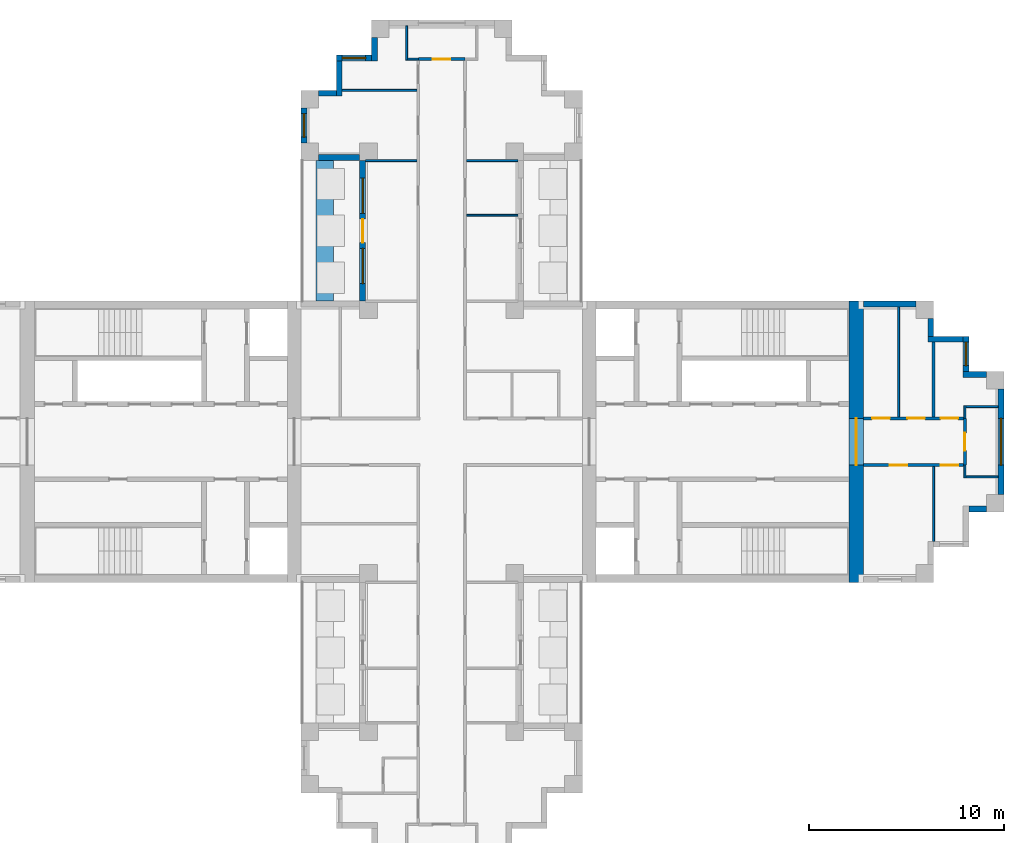
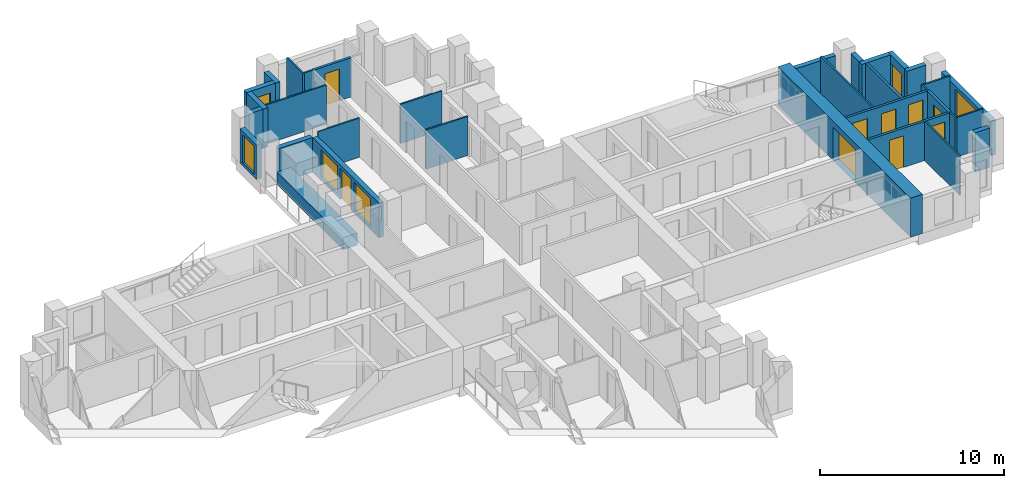
# One storey, part 6 of 9: 33 walls, 9 doors, 6 windows, 15 openings.
"""IFC4 building model written with IfcOpenShell, lengths in metres."""

import ifcopenshell
import ifcopenshell.guid

model = None  # the IFC model being written
_history = None  # IfcOwnerHistory: only IFC2X3 demands one
_inside = {}  # id of a spatial element -> (the spatial element, [elements in it])
_under = {}  # id of a project, library or spatial element -> (it, [spatial elements below it])
_declared = {}  # id of a project -> (the project, [libraries it declares])
_typed = {}  # id of a type object -> (the type object, [elements of that type])
_made_of = {}  # id of a material, layer set ... -> (it, [elements and type objects made of it])


def new_model(schema):
    """Start an empty IFC model of exactly this schema.

    Asked for "IFC4X3", IfcOpenShell would pick the latest addendum, in which some entities
    have other attributes; the version numbers below select the first issue.
    IFC2X3 requires an IfcOwnerHistory on every rooted entity: one is made here for all.
    """
    global model, _history
    if schema == "IFC4X3":
        model = ifcopenshell.file(schema_version=(4, 3, 0, 0))
    else:
        model = ifcopenshell.file(schema=schema)
    _inside.clear()
    _under.clear()
    _declared.clear()
    _typed.clear()
    _made_of.clear()
    _history = None
    if model.schema == "IFC2X3":
        org = make("IfcOrganization", Name="unknown")
        user = make(
            "IfcPersonAndOrganization",
            ThePerson=make("IfcPerson", FamilyName="unknown"),
            TheOrganization=org,
        )
        app = make(
            "IfcApplication",
            ApplicationDeveloper=org,
            Version="unknown",
            ApplicationFullName="unknown",
            ApplicationIdentifier="unknown",
        )
        _history = make(
            "IfcOwnerHistory",
            OwningUser=user,
            OwningApplication=app,
            ChangeAction="ADDED",
            CreationDate=0,
        )
    return model


def make(cls, **values):
    """One entity of the class cls with the attributes given. An attribute that is None is left unset."""
    return model.create_entity(
        cls, **{name: value for name, value in values.items() if value is not None}
    )


def rooted(cls, **values):
    """An entity with a GlobalId (a new one), such as an element, a storey or a relation."""
    return make(cls, GlobalId=ifcopenshell.guid.new(), OwnerHistory=_history, **values)


def si_unit(unit_type, name, prefix=None):
    """IfcSIUnit, for example si_unit("LENGTHUNIT", "METRE", prefix="MILLI")."""
    return make("IfcSIUnit", UnitType=unit_type, Prefix=prefix, Name=name)


def assignment(units):
    """IfcUnitAssignment: the units of a project."""
    return None if units is None else make("IfcUnitAssignment", Units=units)


def point(xyz):
    """IfcCartesianPoint."""
    return None if xyz is None else make("IfcCartesianPoint", Coordinates=xyz)


def direction(xyz):
    """IfcDirection."""
    return None if xyz is None else make("IfcDirection", DirectionRatios=xyz)


def frame(location, z_axis=None, x_axis=None):
    """IfcAxis2Placement3D, a coordinate frame: its origin and axes. An axis left out is left unset."""
    return make(
        "IfcAxis2Placement3D",
        Location=point(location),
        Axis=direction(z_axis),
        RefDirection=direction(x_axis),
    )


def frame_2d(location, x_axis=None):
    """IfcAxis2Placement2D, a coordinate frame in the plane: its origin and x axis."""
    return make(
        "IfcAxis2Placement2D", Location=point(location), RefDirection=direction(x_axis)
    )


def origin():
    """The frame at (0, 0, 0) with its axes left unset."""
    return frame((0.0, 0.0, 0.0))


def place(relative_to, where):
    """IfcLocalPlacement: puts the frame where relative to a parent placement (None: the world)."""
    return make(
        "IfcLocalPlacement", PlacementRelTo=relative_to, RelativePlacement=where
    )


def context(
    kind, dimensions, precision=None, world=None, true_north=None, identifier=None
):
    """IfcGeometricRepresentationContext, for example the 3D "Model" context."""
    return make(
        "IfcGeometricRepresentationContext",
        ContextIdentifier=identifier,
        ContextType=kind,
        CoordinateSpaceDimension=dimensions,
        Precision=precision,
        WorldCoordinateSystem=world,
        TrueNorth=true_north,
    )


def subcontext(parent, identifier, kind, view, scale=None):
    """IfcGeometricRepresentationSubContext, for example "Body" below "Model"."""
    return make(
        "IfcGeometricRepresentationSubContext",
        ContextIdentifier=identifier,
        ContextType=kind,
        ParentContext=parent,
        TargetScale=scale,
        TargetView=view,
    )


def project(units=None, contexts=None):
    """IfcProject with its units and contexts."""
    return rooted(
        "IfcProject",
        Name="project",
        RepresentationContexts=contexts,
        UnitsInContext=assignment(units),
    )


def spatial(cls, under=None, at=None, **own):
    """A site, building, storey or space (cls), placed at a placement, below another one or the project."""
    s = rooted(cls, ObjectPlacement=at, **own)
    if under is not None:
        _under.setdefault(under.id(), (under, []))[1].append(s)
    return s


def profile(cls, at=None, kind="AREA", **sizes):
    """A parametric profile (cls). Its sizes go by their IFC names, for example OverallWidth=200.0."""
    return make(cls, ProfileType=kind, Position=at, **sizes)


def rectangle(**sizes):
    """IfcRectangleProfileDef."""
    return profile("IfcRectangleProfileDef", **sizes)


def extrude(swept, where, along, depth):
    """IfcExtrudedAreaSolid: the profile swept, set in the frame where, extruded along a direction by depth."""
    return make(
        "IfcExtrudedAreaSolid",
        SweptArea=swept,
        Position=where,
        ExtrudedDirection=direction(along),
        Depth=depth,
    )


def shape(context_of_items, identifier, shape_type, items):
    """IfcShapeRepresentation: the items that make up one representation, for example the "Body"."""
    return make(
        "IfcShapeRepresentation",
        ContextOfItems=context_of_items,
        RepresentationIdentifier=identifier,
        RepresentationType=shape_type,
        Items=items,
    )


def material(Name=None, Category=None):
    """IfcMaterial."""
    return make("IfcMaterial", Name=Name, Category=Category)


def layer(
    of_material, thickness, ventilated=None, Name=None, Category=None, Priority=None
):
    """IfcMaterialLayer: one layer of a wall or slab, of a material (None: an air gap)."""
    return make(
        "IfcMaterialLayer",
        Material=of_material,
        LayerThickness=thickness,
        IsVentilated=ventilated,
        Name=Name,
        Category=Category,
        Priority=Priority,
    )


def layer_set(layers, Name=None):
    """IfcMaterialLayerSet."""
    return make("IfcMaterialLayerSet", MaterialLayers=layers, LayerSetName=Name)


def made_of(thing, what):
    """Note that an element or type object is made of a material, layer set ...; save() writes the relation."""
    if what is not None:
        _made_of.setdefault(what.id(), (what, []))[1].append(thing)
    return thing


def type_object(cls, material=None, **own):
    """A type object (cls), such as IfcWallType, which elements share."""
    return made_of(rooted(cls, **own), material)


def element(
    cls,
    number,
    at=None,
    inside=None,
    cuts=None,
    type_object=None,
    material=None,
    context=None,
    identifier="Body",
    shape_type=None,
    held_by="IfcProductDefinitionShape",
    body=None,
    shapes=None,
    **own,
):
    """One element of the class cls, such as IfcWall. Its Tag is "e" and its number.

    at: its placement. inside: the storey or other place that contains it. cuts: it is an
    opening in that element (IfcRelVoidsElement). A single representation is given by context,
    identifier, shape_type and body (its items); several are given by shapes. held_by: the class
    of the entity that holds the representations. save() writes the other relations.
    """
    e = rooted(cls, Tag="e%d" % number, ObjectPlacement=at, **own)
    if body is not None:
        shapes = [shape(context, identifier, shape_type, body)]
    if shapes is not None:
        e.Representation = make(held_by, Representations=shapes)
    if inside is not None:
        _inside.setdefault(inside.id(), (inside, []))[1].append(e)
    if cuts is not None:
        rooted(
            "IfcRelVoidsElement", RelatingBuildingElement=cuts, RelatedOpeningElement=e
        )
    if type_object is not None:
        _typed.setdefault(type_object.id(), (type_object, []))[1].append(e)
    return made_of(e, material)


def fill(opening, filler):
    """IfcRelFillsElement: the door or window that sits in an opening."""
    return rooted(
        "IfcRelFillsElement",
        RelatingOpeningElement=opening,
        RelatedBuildingElement=filler,
    )


def aggregate(whole, parts):
    """IfcRelAggregates: a whole, such as a stair, and the parts it consists of."""
    return rooted("IfcRelAggregates", RelatingObject=whole, RelatedObjects=parts)


def save(model, path):
    """Write the relations noted so far, then the file.

    IfcRelAggregates (storeys below a building ...), IfcRelContainedInSpatialStructure (elements
    in a storey), IfcRelDefinesByType, IfcRelAssociatesMaterial and IfcRelDeclares: one each for
    every whole, place, type object, material and project.
    """
    for whole, parts in _under.values():
        aggregate(whole, parts)
    for where, things in _inside.values():
        rooted(
            "IfcRelContainedInSpatialStructure",
            RelatedElements=things,
            RelatingStructure=where,
        )
    for kind, things in _typed.values():
        rooted("IfcRelDefinesByType", RelatedObjects=things, RelatingType=kind)
    for what, things in _made_of.values():
        rooted("IfcRelAssociatesMaterial", RelatedObjects=things, RelatingMaterial=what)
    for by, libraries in _declared.values():
        rooted("IfcRelDeclares", RelatingContext=by, RelatedDefinitions=libraries)
    model.write(path)


model = new_model("IFC4")

# Units and contexts
model_context = context("Model", 3, precision=1e-05, world=origin(), true_north=direction((0.0, 1.0)))
body_context = subcontext(model_context, "Body", "Model", "MODEL_VIEW")
ifc_project = project(units=[si_unit("LENGTHUNIT", "METRE"), si_unit("AREAUNIT", "SQUARE_METRE"), si_unit("VOLUMEUNIT", "CUBIC_METRE"), si_unit("PLANEANGLEUNIT", "RADIAN"), si_unit("MASSUNIT", "GRAM", prefix="KILO")], contexts=[model_context])

# Site, building, storey
site_placement = place(None, origin())
site = spatial("IfcSite", under=ifc_project, at=site_placement, CompositionType="ELEMENT")
building_placement = place(site_placement, origin())
building = spatial("IfcBuilding", under=site, at=building_placement, Name="Fustian Cross Tower", CompositionType="ELEMENT")
storey_placement = place(building_placement, frame((0.0, 0.0, 219.89990234375)))
storey = spatial("IfcBuildingStorey", under=building, at=storey_placement, Name="L69", CompositionType="ELEMENT", Elevation=219.89990234375)

# Wall, opening, door
ifc_material_1 = material(Name="Plasterboard on steel stud", Category="steel")
ifc_layer_1 = layer(ifc_material_1, 0.14990234375)
ifc_layer_set_1 = layer_set([ifc_layer_1], Name="Plasterboard on steel stud")
wall_type_1 = type_object("IfcWallType", Name="COMPARTMENT WALL 150 EI 60", PredefinedType="PARTITIONING", material=ifc_layer_set_1)
wall_1_placement = place(storey_placement, frame((-1.199951171875, 19.60009765625, 0.0), z_axis=(0.0, 0.0, 1.0), x_axis=(1.0, 0.0, 0.0)))
wall_1 = element("IfcWall", 1, at=wall_1_placement, inside=storey, type_object=wall_type_1, Name="Partition 32", PredefinedType="PARTITIONING", context=body_context, shape_type="SweptSolid", body=[
    extrude(rectangle(XDim=2.39990234375, YDim=0.14990234375, at=frame_2d((1.199951171875, 0.0))), origin(), (0.0, 0.0, 1.0), 2.60009765625),
])
opening_1_placement = place(wall_1_placement, frame((0.75, 0.0, 0.0)))
opening_1 = element("IfcOpeningElement", 2, at=opening_1_placement, cuts=wall_1, Name="Opening D31015", PredefinedType="OPENING", context=body_context, shape_type="SweptSolid", body=[
    extrude(rectangle(XDim=0.89990234375, YDim=2.10009765625, at=frame_2d((0.449951171875, 1.050048828125))), frame((0.0, 0.0849609375, 0.0), z_axis=(0.0, -1.0, 0.0), x_axis=(1.0, 0.0, 0.0)), (0.0, 0.0, 1.0), 0.169921875),
])
ifc_material_2 = material(Name="Timber fire door set", Category="wood")
door_type_1 = type_object("IfcDoorType", Name="FIRE SWING DOOR 900 FD30S", OperationType="SINGLE_SWING_LEFT", PredefinedType="DOOR", material=ifc_material_2)
door_1_placement = place(opening_1_placement, origin())
door_1 = element("IfcDoor", 3, at=door_1_placement, inside=storey, type_object=door_type_1, Name="Door D31015", OperationType="SINGLE_SWING_LEFT", OverallHeight=2.10009765625, OverallWidth=0.89990234375, PredefinedType="DOOR", context=body_context, shape_type="SweptSolid", body=[
    extrude(rectangle(XDim=0.89990234375, YDim=2.10009765625, at=frame_2d((0.449951171875, 1.050048828125))), frame((0.0, 0.02490234375, 0.0), z_axis=(0.0, -1.0, 0.0), x_axis=(1.0, 0.0, 0.0)), (0.0, 0.0, 1.0), 0.050048828125),
])
fill(opening_1, door_1)

# Wall, openings, doors
wall_2_placement = place(storey_placement, frame((21.60009765625, -1.199951171875, 0.0), z_axis=(0.0, 0.0, 1.0), x_axis=(1.0, 0.0, 0.0)))
wall_2 = element("IfcWall", 4, at=wall_2_placement, inside=storey, type_object=wall_type_1, Name="Partition 50", PredefinedType="PARTITIONING", context=body_context, shape_type="SweptSolid", body=[
    extrude(rectangle(XDim=5.125, YDim=0.14990234375, at=frame_2d((2.5625, 0.0))), origin(), (0.0, 0.0, 1.0), 2.60009765625),
])
opening_2_placement = place(wall_2_placement, frame((1.35009765625, 0.0, 0.0)))
opening_2 = element("IfcOpeningElement", 5, at=opening_2_placement, cuts=wall_2, Name="Opening D31013", PredefinedType="OPENING", context=body_context, shape_type="SweptSolid", body=[
    extrude(rectangle(XDim=0.89990234375, YDim=2.10009765625, at=frame_2d((0.449951171875, 1.050048828125))), frame((0.0, 0.0849609375, 0.0), z_axis=(0.0, -1.0, 0.0), x_axis=(1.0, 0.0, 0.0)), (0.0, 0.0, 1.0), 0.169921875),
])
opening_3_placement = place(wall_2_placement, frame((3.949951171875, 0.0, 0.0)))
opening_3 = element("IfcOpeningElement", 6, at=opening_3_placement, cuts=wall_2, Name="Opening D31014", PredefinedType="OPENING", context=body_context, shape_type="SweptSolid", body=[
    extrude(rectangle(XDim=0.89990234375, YDim=2.10009765625, at=frame_2d((0.449951171875, 1.050048828125))), frame((0.0, 0.0849609375, 0.0), z_axis=(0.0, -1.0, 0.0), x_axis=(1.0, 0.0, 0.0)), (0.0, 0.0, 1.0), 0.169921875),
])
door_2_placement = place(opening_2_placement, frame((0.89990234375, 0.0, 0.0), z_axis=(0.0, 0.0, 1.0), x_axis=(-1.0, 0.0, 0.0)))
door_2 = element("IfcDoor", 7, at=door_2_placement, inside=storey, type_object=door_type_1, Name="Door D31013", OperationType="SINGLE_SWING_RIGHT", OverallHeight=2.10009765625, OverallWidth=0.89990234375, PredefinedType="DOOR", context=body_context, shape_type="SweptSolid", body=[
    extrude(rectangle(XDim=0.89990234375, YDim=2.10009765625, at=frame_2d((0.449951171875, 1.050048828125))), frame((0.0, 0.02490234375, 0.0), z_axis=(0.0, -1.0, 0.0), x_axis=(1.0, 0.0, 0.0)), (0.0, 0.0, 1.0), 0.050048828125),
])
fill(opening_2, door_2)
door_3_placement = place(opening_3_placement, frame((0.89990234375, 0.0, 0.0), z_axis=(0.0, 0.0, 1.0), x_axis=(-1.0, 0.0, 0.0)))
door_3 = element("IfcDoor", 8, at=door_3_placement, inside=storey, type_object=door_type_1, Name="Door D31014", OperationType="SINGLE_SWING_RIGHT", OverallHeight=2.10009765625, OverallWidth=0.89990234375, PredefinedType="DOOR", context=body_context, shape_type="SweptSolid", body=[
    extrude(rectangle(XDim=0.89990234375, YDim=2.10009765625, at=frame_2d((0.449951171875, 1.050048828125))), frame((0.0, 0.02490234375, 0.0), z_axis=(0.0, -1.0, 0.0), x_axis=(1.0, 0.0, 0.0)), (0.0, 0.0, 1.0), 0.050048828125),
])
fill(opening_3, door_3)

wall_3_placement = place(storey_placement, frame((21.60009765625, 1.199951171875, 0.0), z_axis=(0.0, 0.0, 1.0), x_axis=(1.0, 0.0, 0.0)))
wall_3 = element("IfcWall", 9, at=wall_3_placement, inside=storey, type_object=wall_type_1, Name="Partition 51", PredefinedType="PARTITIONING", context=body_context, shape_type="SweptSolid", body=[
    extrude(rectangle(XDim=5.125, YDim=0.14990234375, at=frame_2d((2.5625, 0.0))), origin(), (0.0, 0.0, 1.0), 2.60009765625),
])
opening_4_placement = place(wall_3_placement, frame((0.449951171875, 0.0, 0.0)))
opening_4 = element("IfcOpeningElement", 10, at=opening_4_placement, cuts=wall_3, Name="Opening D31010", PredefinedType="OPENING", context=body_context, shape_type="SweptSolid", body=[
    extrude(rectangle(XDim=0.89990234375, YDim=2.10009765625, at=frame_2d((0.449951171875, 1.050048828125))), frame((0.0, 0.0849609375, 0.0), z_axis=(0.0, -1.0, 0.0), x_axis=(1.0, 0.0, 0.0)), (0.0, 0.0, 1.0), 0.169921875),
])
opening_5_placement = place(wall_3_placement, frame((2.25, 0.0, 0.0)))
opening_5 = element("IfcOpeningElement", 11, at=opening_5_placement, cuts=wall_3, Name="Opening D31011", PredefinedType="OPENING", context=body_context, shape_type="SweptSolid", body=[
    extrude(rectangle(XDim=0.89990234375, YDim=2.10009765625, at=frame_2d((0.449951171875, 1.050048828125))), frame((0.0, 0.0849609375, 0.0), z_axis=(0.0, -1.0, 0.0), x_axis=(1.0, 0.0, 0.0)), (0.0, 0.0, 1.0), 0.169921875),
])
opening_6_placement = place(wall_3_placement, frame((3.949951171875, 0.0, 0.0)))
opening_6 = element("IfcOpeningElement", 12, at=opening_6_placement, cuts=wall_3, Name="Opening D31012", PredefinedType="OPENING", context=body_context, shape_type="SweptSolid", body=[
    extrude(rectangle(XDim=0.89990234375, YDim=2.10009765625, at=frame_2d((0.449951171875, 1.050048828125))), frame((0.0, 0.0849609375, 0.0), z_axis=(0.0, -1.0, 0.0), x_axis=(1.0, 0.0, 0.0)), (0.0, 0.0, 1.0), 0.169921875),
])
door_4_placement = place(opening_4_placement, origin())
door_4 = element("IfcDoor", 13, at=door_4_placement, inside=storey, type_object=door_type_1, Name="Door D31010", OperationType="SINGLE_SWING_RIGHT", OverallHeight=2.10009765625, OverallWidth=0.89990234375, PredefinedType="DOOR", context=body_context, shape_type="SweptSolid", body=[
    extrude(rectangle(XDim=0.89990234375, YDim=2.10009765625, at=frame_2d((0.449951171875, 1.050048828125))), frame((0.0, 0.02490234375, 0.0), z_axis=(0.0, -1.0, 0.0), x_axis=(1.0, 0.0, 0.0)), (0.0, 0.0, 1.0), 0.050048828125),
])
fill(opening_4, door_4)
door_5_placement = place(opening_5_placement, origin())
door_5 = element("IfcDoor", 14, at=door_5_placement, inside=storey, type_object=door_type_1, Name="Door D31011", OperationType="SINGLE_SWING_RIGHT", OverallHeight=2.10009765625, OverallWidth=0.89990234375, PredefinedType="DOOR", context=body_context, shape_type="SweptSolid", body=[
    extrude(rectangle(XDim=0.89990234375, YDim=2.10009765625, at=frame_2d((0.449951171875, 1.050048828125))), frame((0.0, 0.02490234375, 0.0), z_axis=(0.0, -1.0, 0.0), x_axis=(1.0, 0.0, 0.0)), (0.0, 0.0, 1.0), 0.050048828125),
])
fill(opening_5, door_5)
door_6_placement = place(opening_6_placement, origin())
door_6 = element("IfcDoor", 15, at=door_6_placement, inside=storey, type_object=door_type_1, Name="Door D31012", OperationType="SINGLE_SWING_LEFT", OverallHeight=2.10009765625, OverallWidth=0.89990234375, PredefinedType="DOOR", context=body_context, shape_type="SweptSolid", body=[
    extrude(rectangle(XDim=0.89990234375, YDim=2.10009765625, at=frame_2d((0.449951171875, 1.050048828125))), frame((0.0, 0.02490234375, 0.0), z_axis=(0.0, -1.0, 0.0), x_axis=(1.0, 0.0, 0.0)), (0.0, 0.0, 1.0), 0.050048828125),
])
fill(opening_6, door_6)

# Wall
wall_4_placement = place(storey_placement, frame((25.199951171875, 1.27490234375, 0.0), z_axis=(0.0, 0.0, 1.0), x_axis=(0.0, 1.0, 0.0)))
element("IfcWall", 16, at=wall_4_placement, inside=storey, type_object=wall_type_1, Name="Partition 54", PredefinedType="PARTITIONING", context=body_context, shape_type="SweptSolid", body=[
    extrude(rectangle(XDim=3.8251953125, YDim=0.14990234375, at=frame_2d((1.91259765625, 0.0))), origin(), (0.0, 0.0, 1.0), 2.60009765625),
])

# Wall, opening, door
wall_5_placement = place(storey_placement, frame((26.800048828125, -1.199951171875, 0.0), z_axis=(0.0, 0.0, 1.0), x_axis=(0.0, 1.0, 0.0)))
wall_5 = element("IfcWall", 17, at=wall_5_placement, inside=storey, type_object=wall_type_1, Name="Partition 57", PredefinedType="PARTITIONING", context=body_context, shape_type="SweptSolid", body=[
    extrude(rectangle(XDim=2.39990234375, YDim=0.14990234375, at=frame_2d((1.199951171875, 0.0))), origin(), (0.0, 0.0, 1.0), 2.60009765625),
])
opening_7_placement = place(wall_5_placement, frame((0.75, 0.0, 0.0)))
opening_7 = element("IfcOpeningElement", 18, at=opening_7_placement, cuts=wall_5, Name="Opening D31009", PredefinedType="OPENING", context=body_context, shape_type="SweptSolid", body=[
    extrude(rectangle(XDim=0.89990234375, YDim=2.10009765625, at=frame_2d((0.449951171875, 1.050048828125))), frame((0.0, 0.0849609375, 0.0), z_axis=(0.0, -1.0, 0.0), x_axis=(1.0, 0.0, 0.0)), (0.0, 0.0, 1.0), 0.169921875),
])
door_7_placement = place(opening_7_placement, frame((0.89990234375, 0.0, 0.0), z_axis=(0.0, 0.0, 1.0), x_axis=(-1.0, 0.0, 0.0)))
door_7 = element("IfcDoor", 19, at=door_7_placement, inside=storey, type_object=door_type_1, Name="Door D31009", OperationType="SINGLE_SWING_RIGHT", OverallHeight=2.10009765625, OverallWidth=0.89990234375, PredefinedType="DOOR", context=body_context, shape_type="SweptSolid", body=[
    extrude(rectangle(XDim=0.89990234375, YDim=2.10009765625, at=frame_2d((0.449951171875, 1.050048828125))), frame((0.0, 0.02490234375, 0.0), z_axis=(0.0, -1.0, 0.0), x_axis=(1.0, 0.0, 0.0)), (0.0, 0.0, 1.0), 0.050048828125),
])
fill(opening_7, door_7)

ifc_material_3 = material(Name="Concrete C50/60", Category="concrete")
ifc_layer_2 = layer(ifc_material_3, 0.75)
ifc_layer_set_2 = layer_set([ifc_layer_2], Name="Concrete C50/60")
wall_type_2 = type_object("IfcWallType", Name="CORE END WALL 750 C50/60", PredefinedType="SHEAR", material=ifc_layer_set_2)
wall_6_placement = place(storey_placement, frame((21.22509765625, -7.199951171875, 0.0), z_axis=(0.0, 0.0, 1.0), x_axis=(0.0, 1.0, 0.0)))
wall_6 = element("IfcWall", 20, at=wall_6_placement, inside=storey, type_object=wall_type_2, Name="Core end wall", PredefinedType="SHEAR", context=body_context, shape_type="SweptSolid", body=[
    extrude(rectangle(XDim=14.39990234375, YDim=0.75, at=frame_2d((7.199951171875, 0.0))), origin(), (0.0, 0.0, 1.0), 2.60009765625),
])
opening_8_placement = place(wall_6_placement, frame((6.0, 0.0, 0.0)))
opening_8 = element("IfcOpeningElement", 21, at=opening_8_placement, cuts=wall_6, Name="Opening CD-29-13", PredefinedType="OPENING", context=body_context, shape_type="SweptSolid", body=[
    extrude(rectangle(XDim=2.39990234375, YDim=2.199951171875, at=frame_2d((1.199951171875, 1.10009765625))), frame((0.0, 0.385009765625, 0.0), z_axis=(0.0, -1.0, 0.0), x_axis=(1.0, 0.0, 0.0)), (0.0, 0.0, 1.0), 0.77001953125),
])
ifc_material_4 = material(Name="Steel", Category="steel")
door_type_2 = type_object("IfcDoorType", Name="FIRE DOOR FD30S DOUBLE 2400X2200", OperationType="DOUBLE_DOOR_DOUBLE_SWING", PredefinedType="DOOR", material=ifc_material_4)
door_8_placement = place(opening_8_placement, origin())
door_8 = element("IfcDoor", 22, at=door_8_placement, inside=storey, type_object=door_type_2, Name="Core door CD-29-13", OperationType="DOUBLE_DOOR_DOUBLE_SWING", OverallHeight=2.199951171875, OverallWidth=2.39990234375, PredefinedType="DOOR", context=body_context, shape_type="SweptSolid", body=[
    extrude(rectangle(XDim=2.39990234375, YDim=2.199951171875, at=frame_2d((1.199951171875, 1.10009765625))), frame((0.0, 0.02490234375, 0.0), z_axis=(0.0, -1.0, 0.0), x_axis=(1.0, 0.0, 0.0)), (0.0, 0.0, 1.0), 0.050048828125),
])
fill(opening_8, door_8)

# Walls
ifc_material_5 = material(Name="Plasterboard on steel stud", Category="steel")
ifc_layer_3 = layer(ifc_material_5, 0.10009765625)
ifc_layer_set_3 = layer_set([ifc_layer_3], Name="Plasterboard on steel stud")
wall_type_3 = type_object("IfcWallType", Name="PARTITION 100 STUD", PredefinedType="PARTITIONING", material=ifc_layer_set_3)
wall_7_placement = place(storey_placement, frame((-5.10009765625, 18.0, 0.0), z_axis=(0.0, 0.0, 1.0), x_axis=(1.0, 0.0, 0.0)))
element("IfcWall", 23, at=wall_7_placement, inside=storey, type_object=wall_type_3, Name="Partition 16", PredefinedType="PARTITIONING", context=body_context, shape_type="SweptSolid", body=[
    extrude(rectangle(XDim=3.8251953125, YDim=0.10009765625, at=frame_2d((1.91259765625, 0.0))), origin(), (0.0, 0.0, 1.0), 2.60009765625),
])
wall_8_placement = place(storey_placement, frame((-3.89990234375, 14.39990234375, 0.0), z_axis=(0.0, 0.0, 1.0), x_axis=(1.0, 0.0, 0.0)))
element("IfcWall", 24, at=wall_8_placement, inside=storey, type_object=wall_type_3, Name="Partition 21", PredefinedType="PARTITIONING", context=body_context, shape_type="SweptSolid", body=[
    extrude(rectangle(XDim=2.625, YDim=0.10009765625, at=frame_2d((1.3125, 0.0))), origin(), (0.0, 0.0, 1.0), 2.60009765625),
])
wall_9_placement = place(storey_placement, frame((-1.800048828125, 19.550048828125, 0.0), z_axis=(0.0, 0.0, 1.0), x_axis=(0.0, 1.0, 0.0)))
element("IfcWall", 25, at=wall_9_placement, inside=storey, type_object=wall_type_3, Name="Partition 27", PredefinedType="PARTITIONING", context=body_context, shape_type="SweptSolid", body=[
    extrude(rectangle(XDim=1.75, YDim=0.10009765625, at=frame_2d((0.875, 0.0))), origin(), (0.0, 0.0, 1.0), 2.60009765625),
])
wall_10_placement = place(storey_placement, frame((-1.75, 19.60009765625, 0.0), z_axis=(0.0, 0.0, 1.0), x_axis=(1.0, 0.0, 0.0)))
element("IfcWall", 26, at=wall_10_placement, inside=storey, type_object=wall_type_3, Name="Partition 28", PredefinedType="PARTITIONING", context=body_context, shape_type="SweptSolid", body=[
    extrude(rectangle(XDim=0.550048828125, YDim=0.10009765625, at=frame_2d((0.27490234375, 0.0))), origin(), (0.0, 0.0, 1.0), 2.60009765625),
])
for number, where, z_axis, x_axis, name in (
    (27, (1.27490234375, 11.60009765625, 0.0), (0.0, 0.0, 1.0), (1.0, 0.0, 0.0), "Partition 43"),
    (28, (1.27490234375, 14.39990234375, 0.0), (0.0, 0.0, 1.0), (1.0, 0.0, 0.0), "Partition 44"),
):
    element("IfcWall", number, at=place(storey_placement, frame(where, z_axis=z_axis, x_axis=x_axis)), inside=storey, type_object=wall_type_3, Name=name, PredefinedType="PARTITIONING", context=body_context, shape_type="SweptSolid", body=[
        extrude(rectangle(XDim=2.625, YDim=0.10009765625, at=frame_2d((1.3125, 0.0))), origin(), (0.0, 0.0, 1.0), 2.60009765625),
    ])
wall_11_placement = place(storey_placement, frame((23.39990234375, 1.27490234375, 0.0), z_axis=(0.0, 0.0, 1.0), x_axis=(0.0, 1.0, 0.0)))
element("IfcWall", 29, at=wall_11_placement, inside=storey, type_object=wall_type_3, Name="Partition 52", PredefinedType="PARTITIONING", context=body_context, shape_type="SweptSolid", body=[
    extrude(rectangle(XDim=5.625, YDim=0.10009765625, at=frame_2d((2.8125, 0.0))), origin(), (0.0, 0.0, 1.0), 2.60009765625),
])
wall_12_placement = place(storey_placement, frame((25.199951171875, -5.10009765625, 0.0), z_axis=(0.0, 0.0, 1.0), x_axis=(0.0, 1.0, 0.0)))
element("IfcWall", 30, at=wall_12_placement, inside=storey, type_object=wall_type_3, Name="Partition 53", PredefinedType="PARTITIONING", context=body_context, shape_type="SweptSolid", body=[
    extrude(rectangle(XDim=3.8251953125, YDim=0.10009765625, at=frame_2d((1.91259765625, 0.0))), origin(), (0.0, 0.0, 1.0), 2.60009765625),
])
wall_13_placement = place(storey_placement, frame((26.800048828125, -1.85009765625, 0.0), z_axis=(0.0, 0.0, 1.0), x_axis=(0.0, 1.0, 0.0)))
element("IfcWall", 31, at=wall_13_placement, inside=storey, type_object=wall_type_3, Name="Partition 55", PredefinedType="PARTITIONING", context=body_context, shape_type="SweptSolid", body=[
    extrude(rectangle(XDim=0.650146484375, YDim=0.10009765625, at=frame_2d((0.3251953125, 0.0))), origin(), (0.0, 0.0, 1.0), 2.60009765625),
])
wall_14_placement = place(storey_placement, frame((26.85009765625, -1.800048828125, 0.0), z_axis=(0.0, 0.0, 1.0), x_axis=(1.0, 0.0, 0.0)))
element("IfcWall", 32, at=wall_14_placement, inside=storey, type_object=wall_type_3, Name="Partition 56", PredefinedType="PARTITIONING", context=body_context, shape_type="SweptSolid", body=[
    extrude(rectangle(XDim=1.64990234375, YDim=0.10009765625, at=frame_2d((0.824951171875, 0.0))), origin(), (0.0, 0.0, 1.0), 2.60009765625),
])
wall_15_placement = place(storey_placement, frame((26.800048828125, 1.199951171875, 0.0), z_axis=(0.0, 0.0, 1.0), x_axis=(0.0, 1.0, 0.0)))
element("IfcWall", 33, at=wall_15_placement, inside=storey, type_object=wall_type_3, Name="Partition 58", PredefinedType="PARTITIONING", context=body_context, shape_type="SweptSolid", body=[
    extrude(rectangle(XDim=0.650146484375, YDim=0.10009765625, at=frame_2d((0.3251953125, 0.0))), origin(), (0.0, 0.0, 1.0), 2.60009765625),
])
wall_16_placement = place(storey_placement, frame((26.85009765625, 1.800048828125, 0.0), z_axis=(0.0, 0.0, 1.0), x_axis=(1.0, 0.0, 0.0)))
element("IfcWall", 34, at=wall_16_placement, inside=storey, type_object=wall_type_3, Name="Partition 59", PredefinedType="PARTITIONING", context=body_context, shape_type="SweptSolid", body=[
    extrude(rectangle(XDim=1.64990234375, YDim=0.10009765625, at=frame_2d((0.824951171875, 0.0))), origin(), (0.0, 0.0, 1.0), 2.60009765625),
])
ifc_material_6 = material(Name="Concrete C40/50", Category="concrete")
ifc_layer_4 = layer(ifc_material_6, 0.89990234375)
ifc_layer_set_4 = layer_set([ifc_layer_4], Name="Concrete C40/50")
wall_type_4 = type_object("IfcWallType", Name="PK1 PLANTER 900", PredefinedType="PARAPET", material=ifc_layer_set_4)
wall_17_placement = place(storey_placement, frame((-6.0, 7.199951171875, 0.0), z_axis=(0.0, 0.0, 1.0), x_axis=(0.0, 1.0, 0.0)))
element("IfcWall", 35, at=wall_17_placement, inside=storey, type_object=wall_type_4, Name="PLANTER", PredefinedType="PARAPET", context=body_context, shape_type="SweptSolid", body=[
    extrude(rectangle(XDim=7.199951171875, YDim=0.89990234375, at=frame_2d((3.60009765625, 0.0))), origin(), (0.0, 0.0, 1.0), 0.800048828125),
])
ifc_material_7 = material(Name="Dark aluminium cladding on insulated backing wall", Category="aluminium")
ifc_layer_5 = layer(ifc_material_7, 0.300048828125)
ifc_layer_set_5 = layer_set([ifc_layer_5], Name="Dark aluminium cladding on insulated backing wall")
wall_type_5 = type_object("IfcWallType", Name="XW1 EXTERNAL WALL 300", PredefinedType="SOLIDWALL", material=ifc_layer_set_5)
wall_18_placement = place(storey_placement, frame((27.0, -3.449951171875, 0.0), z_axis=(0.0, 0.0, 1.0), x_axis=(1.0, 0.0, 0.0)))
element("IfcWall", 36, at=wall_18_placement, inside=storey, type_object=wall_type_5, Name="External wall", PredefinedType="SOLIDWALL", context=body_context, shape_type="SweptSolid", body=[
    extrude(rectangle(XDim=0.89990234375, YDim=0.300048828125, at=frame_2d((0.449951171875, 0.0))), origin(), (0.0, 0.0, 1.0), 2.60009765625),
])

# Wall, opening, window
wall_19_placement = place(storey_placement, frame((28.64990234375, -2.699951171875, 0.0), z_axis=(0.0, 0.0, 1.0), x_axis=(0.0, 1.0, 0.0)))
wall_19 = element("IfcWall", 37, at=wall_19_placement, inside=storey, type_object=wall_type_5, Name="External wall", PredefinedType="SOLIDWALL", context=body_context, shape_type="SweptSolid", body=[
    extrude(rectangle(XDim=5.39990234375, YDim=0.300048828125, at=frame_2d((2.699951171875, 0.0))), origin(), (0.0, 0.0, 1.0), 2.300048828125),
])
opening_9_placement = place(wall_19_placement, frame((1.5, 0.0, 0.199951171875)))
opening_9 = element("IfcOpeningElement", 38, at=opening_9_placement, cuts=wall_19, Name="Opening WN1", PredefinedType="OPENING", context=body_context, shape_type="SweptSolid", body=[
    extrude(rectangle(XDim=2.39990234375, YDim=1.85009765625, at=frame_2d((1.199951171875, 0.925048828125))), frame((0.0, 0.159912109375, 0.0), z_axis=(0.0, -1.0, 0.0), x_axis=(1.0, 0.0, 0.0)), (0.0, 0.0, 1.0), 0.320068359375),
])
ifc_material_8 = material(Name="Dark anodised aluminium and double glazing", Category="aluminium")
window_type_1 = type_object("IfcWindowType", Name="WN1 WINDOW 2400X1850", PartitioningType="SINGLE_PANEL", PredefinedType="WINDOW", material=ifc_material_8)
window_1_placement = place(opening_9_placement, origin())
window_1 = element("IfcWindow", 39, at=window_1_placement, inside=storey, type_object=window_type_1, Name="Window", OverallHeight=1.85009765625, OverallWidth=2.39990234375, PartitioningType="SINGLE_PANEL", PredefinedType="WINDOW", context=body_context, shape_type="SweptSolid", body=[
    extrude(rectangle(XDim=2.39990234375, YDim=1.85009765625, at=frame_2d((1.199951171875, 0.925048828125))), frame((0.0, 0.030029296875, 0.0), z_axis=(0.0, -1.0, 0.0), x_axis=(1.0, 0.0, 0.0)), (0.0, 0.0, 1.0), 0.06005859375),
])
fill(opening_9, window_1)

# Wall
wall_20_placement = place(storey_placement, frame((27.89990234375, 3.449951171875, 0.0), z_axis=(0.0, 0.0, 1.0), x_axis=(-1.0, 0.0, 0.0)))
element("IfcWall", 40, at=wall_20_placement, inside=storey, type_object=wall_type_5, Name="External wall", PredefinedType="SOLIDWALL", context=body_context, shape_type="SweptSolid", body=[
    extrude(rectangle(XDim=1.199951171875, YDim=0.300048828125, at=frame_2d((0.60009765625, 0.0))), origin(), (0.0, 0.0, 1.0), 2.60009765625),
])

# Wall, opening, window
wall_21_placement = place(storey_placement, frame((26.85009765625, 3.60009765625, 0.0), z_axis=(0.0, 0.0, 1.0), x_axis=(0.0, 1.0, 0.0)))
wall_21 = element("IfcWall", 41, at=wall_21_placement, inside=storey, type_object=wall_type_5, Name="External wall", PredefinedType="SOLIDWALL", context=body_context, shape_type="SweptSolid", body=[
    extrude(rectangle(XDim=1.7998046875, YDim=0.300048828125, at=frame_2d((0.89990234375, 0.0))), origin(), (0.0, 0.0, 1.0), 2.60009765625),
])
opening_10_placement = place(wall_21_placement, frame((0.300048828125, 0.0, 0.199951171875)))
opening_10 = element("IfcOpeningElement", 42, at=opening_10_placement, cuts=wall_21, Name="Opening WN3", PredefinedType="OPENING", context=body_context, shape_type="SweptSolid", body=[
    extrude(rectangle(XDim=1.199951171875, YDim=1.85009765625, at=frame_2d((0.60009765625, 0.925048828125))), frame((0.0, 0.159912109375, 0.0), z_axis=(0.0, -1.0, 0.0), x_axis=(1.0, 0.0, 0.0)), (0.0, 0.0, 1.0), 0.320068359375),
])
ifc_material_9 = material(Name="Dark anodised aluminium and double glazing", Category="aluminium")
window_type_2 = type_object("IfcWindowType", Name="WN3 WINDOW 1200X1850", PartitioningType="SINGLE_PANEL", PredefinedType="WINDOW", material=ifc_material_9)
window_2_placement = place(opening_10_placement, origin())
window_2 = element("IfcWindow", 43, at=window_2_placement, inside=storey, type_object=window_type_2, Name="Window", OverallHeight=1.85009765625, OverallWidth=1.199951171875, PartitioningType="SINGLE_PANEL", PredefinedType="WINDOW", context=body_context, shape_type="SweptSolid", body=[
    extrude(rectangle(XDim=1.199951171875, YDim=1.85009765625, at=frame_2d((0.60009765625, 0.925048828125))), frame((0.0, 0.030029296875, 0.0), z_axis=(0.0, -1.0, 0.0), x_axis=(1.0, 0.0, 0.0)), (0.0, 0.0, 1.0), 0.06005859375),
])
fill(opening_10, window_2)

# Walls
wall_22_placement = place(storey_placement, frame((26.699951171875, 5.25, 0.0), z_axis=(0.0, 0.0, 1.0), x_axis=(-1.0, 0.0, 0.0)))
element("IfcWall", 44, at=wall_22_placement, inside=storey, type_object=wall_type_5, Name="External wall", PredefinedType="SOLIDWALL", context=body_context, shape_type="SweptSolid", body=[
    extrude(rectangle(XDim=1.800048828125, YDim=0.300048828125, at=frame_2d((0.89990234375, 0.0))), origin(), (0.0, 0.0, 1.0), 2.60009765625),
])
wall_23_placement = place(storey_placement, frame((25.050048828125, 5.39990234375, 0.0), z_axis=(0.0, 0.0, 1.0), x_axis=(0.0, 1.0, 0.0)))
element("IfcWall", 45, at=wall_23_placement, inside=storey, type_object=wall_type_5, Name="External wall", PredefinedType="SOLIDWALL", context=body_context, shape_type="SweptSolid", body=[
    extrude(rectangle(XDim=0.900146484375, YDim=0.300048828125, at=frame_2d((0.4501953125, 0.0))), origin(), (0.0, 0.0, 1.0), 2.60009765625),
])
wall_24_placement = place(storey_placement, frame((24.300048828125, 7.050048828125, 0.0), z_axis=(0.0, 0.0, 1.0), x_axis=(-1.0, 0.0, 0.0)))
element("IfcWall", 46, at=wall_24_placement, inside=storey, type_object=wall_type_5, Name="External wall", PredefinedType="SOLIDWALL", context=body_context, shape_type="SweptSolid", body=[
    extrude(rectangle(XDim=2.699951171875, YDim=0.300048828125, at=frame_2d((1.35009765625, 0.0))), origin(), (0.0, 0.0, 1.0), 2.300048828125),
])
wall_25_placement = place(storey_placement, frame((-3.449951171875, 20.699951171875, 0.0), z_axis=(0.0, 0.0, 1.0), x_axis=(0.0, -1.0, 0.0)))
element("IfcWall", 47, at=wall_25_placement, inside=storey, type_object=wall_type_5, Name="External wall", PredefinedType="SOLIDWALL", context=body_context, shape_type="SweptSolid", body=[
    extrude(rectangle(XDim=1.199951171875, YDim=0.300048828125, at=frame_2d((0.60009765625, 0.0))), origin(), (0.0, 0.0, 1.0), 2.60009765625),
])

# Wall, opening, window
wall_26_placement = place(storey_placement, frame((-3.60009765625, 19.64990234375, 0.0), z_axis=(0.0, 0.0, 1.0), x_axis=(-1.0, 0.0, 0.0)))
wall_26 = element("IfcWall", 48, at=wall_26_placement, inside=storey, type_object=wall_type_5, Name="External wall", PredefinedType="SOLIDWALL", context=body_context, shape_type="SweptSolid", body=[
    extrude(rectangle(XDim=1.7998046875, YDim=0.300048828125, at=frame_2d((0.89990234375, 0.0))), origin(), (0.0, 0.0, 1.0), 2.60009765625),
])
opening_11_placement = place(wall_26_placement, frame((0.300048828125, 0.0, 0.199951171875)))
opening_11 = element("IfcOpeningElement", 49, at=opening_11_placement, cuts=wall_26, Name="Opening WN3", PredefinedType="OPENING", context=body_context, shape_type="SweptSolid", body=[
    extrude(rectangle(XDim=1.199951171875, YDim=1.85009765625, at=frame_2d((0.60009765625, 0.925048828125))), frame((0.0, 0.159912109375, 0.0), z_axis=(0.0, -1.0, 0.0), x_axis=(1.0, 0.0, 0.0)), (0.0, 0.0, 1.0), 0.320068359375),
])
window_3_placement = place(opening_11_placement, origin())
window_3 = element("IfcWindow", 50, at=window_3_placement, inside=storey, type_object=window_type_2, Name="Window", OverallHeight=1.85009765625, OverallWidth=1.199951171875, PartitioningType="SINGLE_PANEL", PredefinedType="WINDOW", context=body_context, shape_type="SweptSolid", body=[
    extrude(rectangle(XDim=1.199951171875, YDim=1.85009765625, at=frame_2d((0.60009765625, 0.925048828125))), frame((0.0, 0.030029296875, 0.0), z_axis=(0.0, -1.0, 0.0), x_axis=(1.0, 0.0, 0.0)), (0.0, 0.0, 1.0), 0.06005859375),
])
fill(opening_11, window_3)

# Walls
wall_27_placement = place(storey_placement, frame((-5.25, 19.5, 0.0), z_axis=(0.0, 0.0, 1.0), x_axis=(0.0, -1.0, 0.0)))
element("IfcWall", 51, at=wall_27_placement, inside=storey, type_object=wall_type_5, Name="External wall", PredefinedType="SOLIDWALL", context=body_context, shape_type="SweptSolid", body=[
    extrude(rectangle(XDim=1.800048828125, YDim=0.300048828125, at=frame_2d((0.89990234375, 0.0))), origin(), (0.0, 0.0, 1.0), 2.60009765625),
])
wall_28_placement = place(storey_placement, frame((-5.39990234375, 17.85009765625, 0.0), z_axis=(0.0, 0.0, 1.0), x_axis=(-1.0, 0.0, 0.0)))
element("IfcWall", 52, at=wall_28_placement, inside=storey, type_object=wall_type_5, Name="External wall", PredefinedType="SOLIDWALL", context=body_context, shape_type="SweptSolid", body=[
    extrude(rectangle(XDim=0.900146484375, YDim=0.300048828125, at=frame_2d((0.4501953125, 0.0))), origin(), (0.0, 0.0, 1.0), 2.60009765625),
])

# Wall, opening, window
wall_29_placement = place(storey_placement, frame((-7.050048828125, 17.10009765625, 0.0), z_axis=(0.0, 0.0, 1.0), x_axis=(0.0, -1.0, 0.0)))
wall_29 = element("IfcWall", 53, at=wall_29_placement, inside=storey, type_object=wall_type_5, Name="External wall", PredefinedType="SOLIDWALL", context=body_context, shape_type="SweptSolid", body=[
    extrude(rectangle(XDim=1.800048828125, YDim=0.300048828125, at=frame_2d((0.89990234375, 0.0))), origin(), (0.0, 0.0, 1.0), 2.300048828125),
])
opening_12_placement = place(wall_29_placement, frame((0.300048828125, 0.0, 0.199951171875)))
opening_12 = element("IfcOpeningElement", 54, at=opening_12_placement, cuts=wall_29, Name="Opening WN3", PredefinedType="OPENING", context=body_context, shape_type="SweptSolid", body=[
    extrude(rectangle(XDim=1.199951171875, YDim=1.85009765625, at=frame_2d((0.60009765625, 0.925048828125))), frame((0.0, 0.159912109375, 0.0), z_axis=(0.0, -1.0, 0.0), x_axis=(1.0, 0.0, 0.0)), (0.0, 0.0, 1.0), 0.320068359375),
])
window_4_placement = place(opening_12_placement, origin())
window_4 = element("IfcWindow", 55, at=window_4_placement, inside=storey, type_object=window_type_2, Name="Window", OverallHeight=1.85009765625, OverallWidth=1.199951171875, PartitioningType="SINGLE_PANEL", PredefinedType="WINDOW", context=body_context, shape_type="SweptSolid", body=[
    extrude(rectangle(XDim=1.199951171875, YDim=1.85009765625, at=frame_2d((0.60009765625, 0.925048828125))), frame((0.0, 0.030029296875, 0.0), z_axis=(0.0, -1.0, 0.0), x_axis=(1.0, 0.0, 0.0)), (0.0, 0.0, 1.0), 0.06005859375),
])
fill(opening_12, window_4)

# Wall
wall_30_placement = place(storey_placement, frame((-6.300048828125, 14.550048828125, 0.0), z_axis=(0.0, 0.0, 1.0), x_axis=(1.0, 0.0, 0.0)))
element("IfcWall", 56, at=wall_30_placement, inside=storey, type_object=wall_type_5, Name="External wall", PredefinedType="SOLIDWALL", context=body_context, shape_type="SweptSolid", body=[
    extrude(rectangle(XDim=2.10009765625, YDim=0.300048828125, at=frame_2d((1.050048828125, 0.0))), origin(), (0.0, 0.0, 1.0), 2.300048828125),
])

# Wall, openings, door, windows
wall_31_placement = place(storey_placement, frame((-4.050048828125, 14.39990234375, 0.0), z_axis=(0.0, 0.0, 1.0), x_axis=(0.0, -1.0, 0.0)))
wall_31 = element("IfcWall", 57, at=wall_31_placement, inside=storey, type_object=wall_type_5, Name="External wall", PredefinedType="SOLIDWALL", context=body_context, shape_type="SweptSolid", body=[
    extrude(rectangle(XDim=7.199951171875, YDim=0.300048828125, at=frame_2d((3.60009765625, 0.0))), origin(), (0.0, 0.0, 1.0), 2.300048828125),
])
opening_13_placement = place(wall_31_placement, frame((3.0, 0.0, 0.0)))
opening_13 = element("IfcOpeningElement", 58, at=opening_13_placement, cuts=wall_31, Name="Opening XD2", PredefinedType="OPENING", context=body_context, shape_type="SweptSolid", body=[
    extrude(rectangle(XDim=1.199951171875, YDim=2.050048828125, at=frame_2d((0.60009765625, 1.02490234375))), frame((0.0, 0.159912109375, 0.0), z_axis=(0.0, -1.0, 0.0), x_axis=(1.0, 0.0, 0.0)), (0.0, 0.0, 1.0), 0.320068359375),
])
opening_14_placement = place(wall_31_placement, frame((0.89990234375, 0.0, 0.199951171875)))
opening_14 = element("IfcOpeningElement", 59, at=opening_14_placement, cuts=wall_31, Name="Opening WN2", PredefinedType="OPENING", context=body_context, shape_type="SweptSolid", body=[
    extrude(rectangle(XDim=1.800048828125, YDim=1.85009765625, at=frame_2d((0.89990234375, 0.925048828125))), frame((0.0, 0.159912109375, 0.0), z_axis=(0.0, -1.0, 0.0), x_axis=(1.0, 0.0, 0.0)), (0.0, 0.0, 1.0), 0.320068359375),
])
opening_15_placement = place(wall_31_placement, frame((4.5, 0.0, 0.199951171875)))
opening_15 = element("IfcOpeningElement", 60, at=opening_15_placement, cuts=wall_31, Name="Opening WN2", PredefinedType="OPENING", context=body_context, shape_type="SweptSolid", body=[
    extrude(rectangle(XDim=1.800048828125, YDim=1.85009765625, at=frame_2d((0.89990234375, 0.925048828125))), frame((0.0, 0.159912109375, 0.0), z_axis=(0.0, -1.0, 0.0), x_axis=(1.0, 0.0, 0.0)), (0.0, 0.0, 1.0), 0.320068359375),
])
ifc_material_10 = material(Name="Dark anodised aluminium and double glazing", Category="aluminium")
door_type_3 = type_object("IfcDoorType", Name="ED1 BALCONY DOOR 1200X2050", OperationType="SINGLE_SWING_LEFT", PredefinedType="DOOR", material=ifc_material_10)
door_9_placement = place(opening_13_placement, origin())
door_9 = element("IfcDoor", 61, at=door_9_placement, inside=storey, type_object=door_type_3, Name="Balcony door", OperationType="SINGLE_SWING_LEFT", OverallHeight=2.050048828125, OverallWidth=1.199951171875, PredefinedType="DOOR", context=body_context, shape_type="SweptSolid", body=[
    extrude(rectangle(XDim=1.199951171875, YDim=2.050048828125, at=frame_2d((0.60009765625, 1.02490234375))), frame((0.0, 0.02490234375, 0.0), z_axis=(0.0, -1.0, 0.0), x_axis=(1.0, 0.0, 0.0)), (0.0, 0.0, 1.0), 0.050048828125),
])
fill(opening_13, door_9)
ifc_material_11 = material(Name="Dark anodised aluminium and double glazing", Category="aluminium")
window_type_3 = type_object("IfcWindowType", Name="WN2 WINDOW 1800X1850", PartitioningType="SINGLE_PANEL", PredefinedType="WINDOW", material=ifc_material_11)
window_5_placement = place(opening_14_placement, origin())
window_5 = element("IfcWindow", 62, at=window_5_placement, inside=storey, type_object=window_type_3, Name="Window", OverallHeight=1.85009765625, OverallWidth=1.800048828125, PartitioningType="SINGLE_PANEL", PredefinedType="WINDOW", context=body_context, shape_type="SweptSolid", body=[
    extrude(rectangle(XDim=1.800048828125, YDim=1.85009765625, at=frame_2d((0.89990234375, 0.925048828125))), frame((0.0, 0.030029296875, 0.0), z_axis=(0.0, -1.0, 0.0), x_axis=(1.0, 0.0, 0.0)), (0.0, 0.0, 1.0), 0.06005859375),
])
fill(opening_14, window_5)
window_6_placement = place(opening_15_placement, origin())
window_6 = element("IfcWindow", 63, at=window_6_placement, inside=storey, type_object=window_type_3, Name="Window", OverallHeight=1.85009765625, OverallWidth=1.800048828125, PartitioningType="SINGLE_PANEL", PredefinedType="WINDOW", context=body_context, shape_type="SweptSolid", body=[
    extrude(rectangle(XDim=1.800048828125, YDim=1.85009765625, at=frame_2d((0.89990234375, 0.925048828125))), frame((0.0, 0.030029296875, 0.0), z_axis=(0.0, -1.0, 0.0), x_axis=(1.0, 0.0, 0.0)), (0.0, 0.0, 1.0), 0.06005859375),
])
fill(opening_15, window_6)

save(model, "model.ifc")
